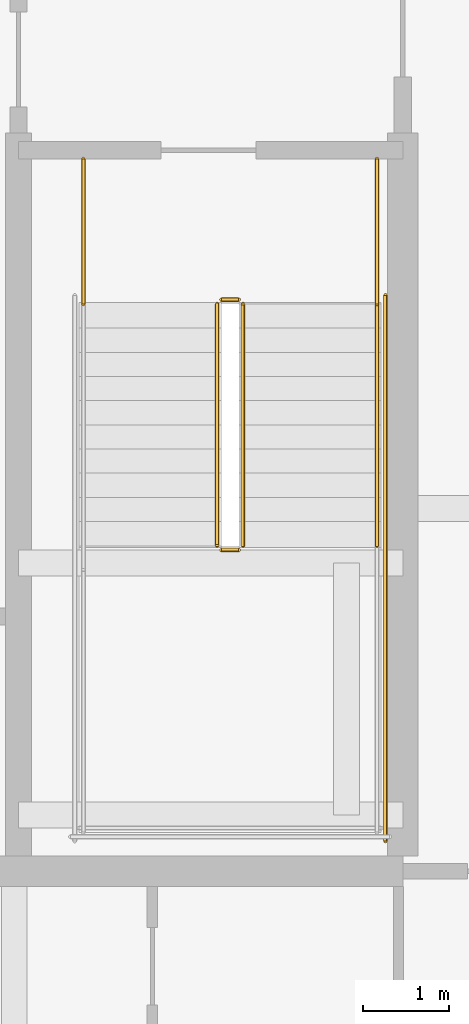
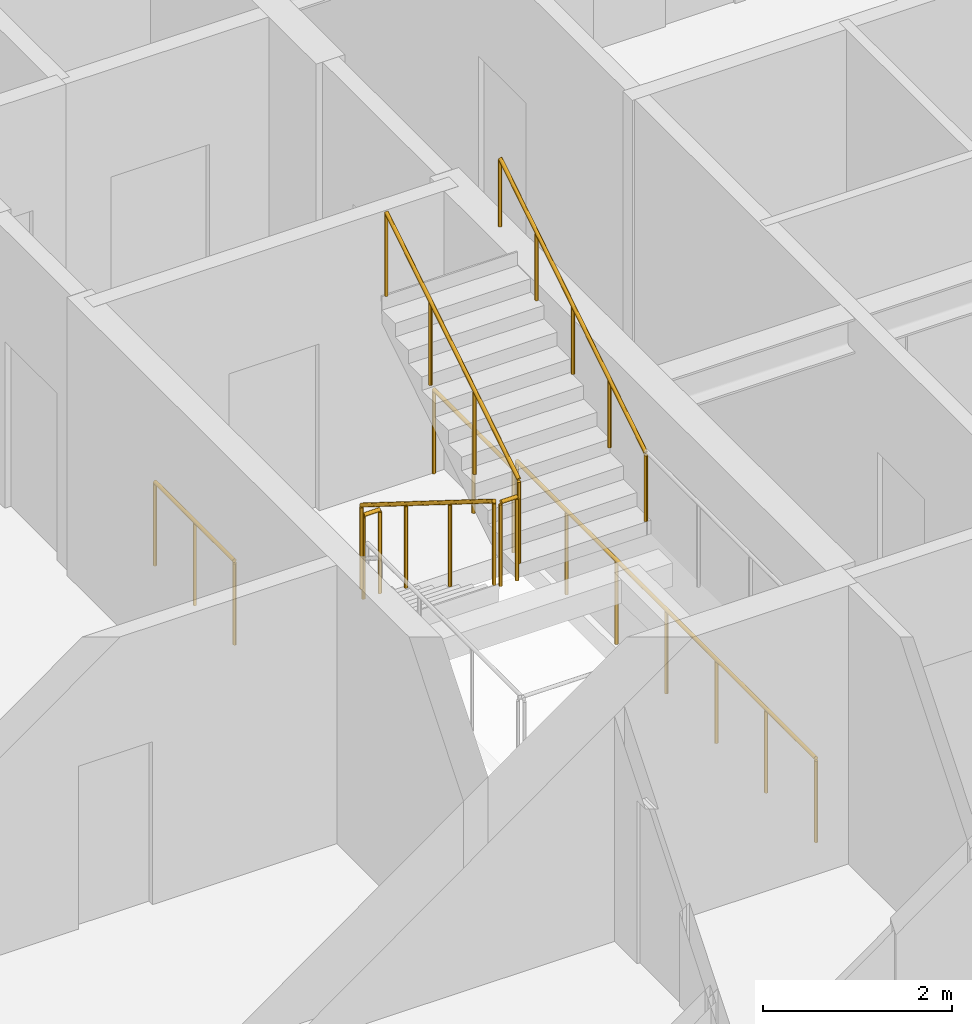
# One storey, part 38 of 39: 8 railings.
"""IFC4 building model written with IfcOpenShell, lengths in metres."""

from ifc_helpers import new_model, si_unit, direction, frame, origin, origin_2d, place, context, subcontext, project, spatial, circle, extrude, material, type_object, element, save


model = new_model("IFC4")

# Units and contexts
model_context = context("Model", 3, precision=1e-05, world=origin(), true_north=direction((0.0, 1.0)))
body_context = subcontext(model_context, "Body", "Model", "MODEL_VIEW")
ifc_project = project(units=[si_unit("LENGTHUNIT", "METRE"), si_unit("AREAUNIT", "SQUARE_METRE"), si_unit("VOLUMEUNIT", "CUBIC_METRE"), si_unit("PLANEANGLEUNIT", "RADIAN"), si_unit("MASSUNIT", "GRAM", prefix="KILO")], contexts=[model_context])

# Site, building, storey
site_placement = place(None, origin())
site = spatial("IfcSite", under=ifc_project, at=site_placement, CompositionType="ELEMENT")
building_placement = place(site_placement, origin())
building = spatial("IfcBuilding", under=site, at=building_placement, Name="Serunith Strait Residences", CompositionType="ELEMENT")
storey_placement = place(building_placement, frame((0.0, 0.0, 222.0)))
storey = spatial("IfcBuildingStorey", under=building, at=storey_placement, Name="L55", CompositionType="ELEMENT", Elevation=222.0)

# Railings
ifc_material = material(Name="Brushed stainless steel 316L", Category="steel")
railing_type_1 = type_object("IfcRailingType", Name="RLG-STAIR-GUARD", PredefinedType="BALUSTRADE", material=ifc_material)
railing_1_placement = place(storey_placement, frame((39.25, 23.3701171875, 0.175048828125)))
element("IfcRailing", 1, at=railing_1_placement, inside=storey, type_object=railing_type_1, Name="L55 ST-2 stair guard 1", PredefinedType="BALUSTRADE", context=body_context, shape_type="SweptSolid", body=[
    extrude(circle(Radius=0.02392578125, at=origin_2d()), frame((0.0, -0.001708984375, 1.0771484375), z_axis=(0.0, -0.848002457836, 0.529992293815), x_axis=(1.0, 0.0, 0.0)), (0.0, 0.0, 1.0), 3.2978515625),
    extrude(circle(Radius=0.02099609375, at=origin_2d()), origin(), (0.0, 0.0, 1.0), 1.050048828125),
    extrude(circle(Radius=0.02099609375, at=origin_2d()), frame((0.0, -0.933349609375, 0.583251953125)), (0.0, 0.0, 1.0), 1.050048828125),
    extrude(circle(Radius=0.02099609375, at=origin_2d()), frame((0.0, -1.86669921875, 1.166748046875)), (0.0, 0.0, 1.0), 1.050048828125),
    extrude(circle(Radius=0.02099609375, at=origin_2d()), frame((0.0, -2.800048828125, 1.75)), (0.0, 0.0, 1.0), 1.050048828125),
])
railing_2_placement = place(storey_placement, frame((39.300048828125, 20.52001953125, 1.925048828125)))
element("IfcRailing", 2, at=railing_2_placement, inside=storey, type_object=railing_type_1, Name="L55 ST-2 stair guard 2", PredefinedType="BALUSTRADE", context=body_context, shape_type="SweptSolid", body=[
    extrude(circle(Radius=0.02392578125, at=origin_2d()), frame((0.001953125, 0.0, 1.076171875), z_axis=(1.0, 0.0, 0.0), x_axis=(0.0, 1.0, 0.0)), (0.0, 0.0, 1.0), 0.196044921875),
    extrude(circle(Radius=0.02099609375, at=origin_2d()), origin(), (0.0, 0.0, 1.0), 1.050048828125),
    extrude(circle(Radius=0.02099609375, at=origin_2d()), frame((0.199951171875, 0.0, 0.0)), (0.0, 0.0, 1.0), 1.050048828125),
])
railing_3_placement = place(storey_placement, frame((39.550048828125, 20.570068359375, 2.10009765625)))
element("IfcRailing", 3, at=railing_3_placement, inside=storey, type_object=railing_type_1, Name="L55 ST-2 stair guard 6", PredefinedType="BALUSTRADE", context=body_context, shape_type="SweptSolid", body=[
    extrude(circle(Radius=0.02392578125, at=origin_2d()), frame((0.0, 0.001708984375, 1.0771484375), z_axis=(0.0, 0.848002457836, 0.529992293815), x_axis=(-1.0, 0.0, 0.0)), (0.0, 0.0, 1.0), 3.2978515625),
    extrude(circle(Radius=0.02099609375, at=origin_2d()), origin(), (0.0, 0.0, 1.0), 1.050048828125),
    extrude(circle(Radius=0.02099609375, at=origin_2d()), frame((0.0, 0.933349609375, 0.583251953125)), (0.0, 0.0, 1.0), 1.050048828125),
    extrude(circle(Radius=0.02099609375, at=origin_2d()), frame((0.0, 1.86669921875, 1.166748046875)), (0.0, 0.0, 1.0), 1.050048828125),
    extrude(circle(Radius=0.02099609375, at=origin_2d()), frame((0.0, 2.800048828125, 1.75)), (0.0, 0.0, 1.0), 1.050048828125),
])
railing_4_placement = place(storey_placement, frame((39.300048828125, 23.419921875, 0.0)))
element("IfcRailing", 4, at=railing_4_placement, inside=storey, type_object=railing_type_1, Name="L55 ST-2 stair guard 7", PredefinedType="BALUSTRADE", context=body_context, shape_type="SweptSolid", body=[
    extrude(circle(Radius=0.02392578125, at=origin_2d()), frame((0.001953125, 0.0, 1.076171875), z_axis=(1.0, 0.0, 0.0), x_axis=(0.0, 1.0, 0.0)), (0.0, 0.0, 1.0), 0.196044921875),
    extrude(circle(Radius=0.02099609375, at=origin_2d()), origin(), (0.0, 0.0, 1.0), 1.050048828125),
    extrude(circle(Radius=0.02099609375, at=origin_2d()), frame((0.199951171875, 0.0, 0.0)), (0.0, 0.0, 1.0), 1.050048828125),
])
for number, where, name in (
    (5, (37.699951171875, 25.050048828125, 0.0), "L55 ST-2 stair guard 8"),
    (6, (41.10009765625, 25.050048828125, 0.0), "L55 ST-2 stair guard 9"),
):
    element("IfcRailing", number, at=place(storey_placement, frame(where)), inside=storey, type_object=railing_type_1, Name=name, PredefinedType="BALUSTRADE", context=body_context, shape_type="SweptSolid", body=[
        extrude(circle(Radius=0.02392578125, at=origin_2d()), frame((0.0, -0.001953125, 1.076171875), z_axis=(0.0, -1.0, 0.0), x_axis=(1.0, 0.0, 0.0)), (0.0, 0.0, 1.0), 1.676025390625),
        extrude(circle(Radius=0.02099609375, at=origin_2d()), origin(), (0.0, 0.0, 1.0), 1.050048828125),
        extrude(circle(Radius=0.02099609375, at=origin_2d()), frame((0.0, -0.83984375, 0.0)), (0.0, 0.0, 1.0), 1.050048828125),
        extrude(circle(Radius=0.02099609375, at=origin_2d()), frame((0.0, -1.679931640625, 0.0)), (0.0, 0.0, 1.0), 1.050048828125),
    ])
railing_5_placement = place(storey_placement, frame((41.199951171875, 23.469970703125, 0.0)))
element("IfcRailing", 7, at=railing_5_placement, inside=storey, type_object=railing_type_1, Name="L55 ST-2 stair guard 11", PredefinedType="BALUSTRADE", context=body_context, shape_type="SweptSolid", body=[
    extrude(circle(Radius=0.02392578125, at=origin_2d()), frame((0.0, -0.001953125, 1.076171875), z_axis=(0.0, -1.0, 0.0), x_axis=(1.0, 0.0, 0.0)), (0.0, 0.0, 1.0), 6.316162109375),
    extrude(circle(Radius=0.02099609375, at=origin_2d()), origin(), (0.0, 0.0, 1.0), 1.050048828125),
    extrude(circle(Radius=0.02099609375, at=origin_2d()), frame((0.0, -1.05322265625, 0.0)), (0.0, 0.0, 1.0), 1.050048828125),
    extrude(circle(Radius=0.02099609375, at=origin_2d()), frame((0.0, -2.106689453125, 0.0)), (0.0, 0.0, 1.0), 1.050048828125),
    extrude(circle(Radius=0.02099609375, at=origin_2d()), frame((0.0, -3.16015625, 0.0)), (0.0, 0.0, 1.0), 1.050048828125),
    extrude(circle(Radius=0.02099609375, at=origin_2d()), frame((0.0, -4.21337890625, 0.0)), (0.0, 0.0, 1.0), 1.050048828125),
    extrude(circle(Radius=0.02099609375, at=origin_2d()), frame((0.0, -5.2666015625, 0.0)), (0.0, 0.0, 1.0), 1.050048828125),
    extrude(circle(Radius=0.02099609375, at=origin_2d()), frame((0.0, -6.320068359375, 0.0)), (0.0, 0.0, 1.0), 1.050048828125),
])
railing_type_2 = type_object("IfcRailingType", Name="RLG-STAIR-HR", PredefinedType="HANDRAIL", material=ifc_material)
railing_6_placement = place(storey_placement, frame((41.10009765625, 20.570068359375, 2.10009765625)))
element("IfcRailing", 8, at=railing_6_placement, inside=storey, type_object=railing_type_2, Name="L55 ST-2 stair handrail 2", PredefinedType="HANDRAIL", context=body_context, shape_type="SweptSolid", body=[
    extrude(circle(Radius=0.02392578125, at=origin_2d()), frame((0.0, 0.001708984375, 0.876953125), z_axis=(0.0, 0.847375056783, 0.530994833442), x_axis=(-1.0, 0.0, 0.0)), (0.0, 0.0, 1.0), 3.630615234375),
    extrude(circle(Radius=0.02099609375, at=origin_2d()), origin(), (0.0, 0.0, 1.0), 0.849853515625),
    extrude(circle(Radius=0.02099609375, at=origin_2d()), frame((0.0, 0.77001953125, 0.482421875)), (0.0, 0.0, 1.0), 0.849853515625),
    extrude(circle(Radius=0.02099609375, at=origin_2d()), frame((0.0, 1.5400390625, 0.96484375)), (0.0, 0.0, 1.0), 0.849853515625),
    extrude(circle(Radius=0.02099609375, at=origin_2d()), frame((0.0, 2.309814453125, 1.447509765625)), (0.0, 0.0, 1.0), 0.849853515625),
    extrude(circle(Radius=0.02099609375, at=origin_2d()), frame((0.0, 3.079833984375, 1.929931640625)), (0.0, 0.0, 1.0), 0.849853515625),
])

save(model, "model.ifc")
